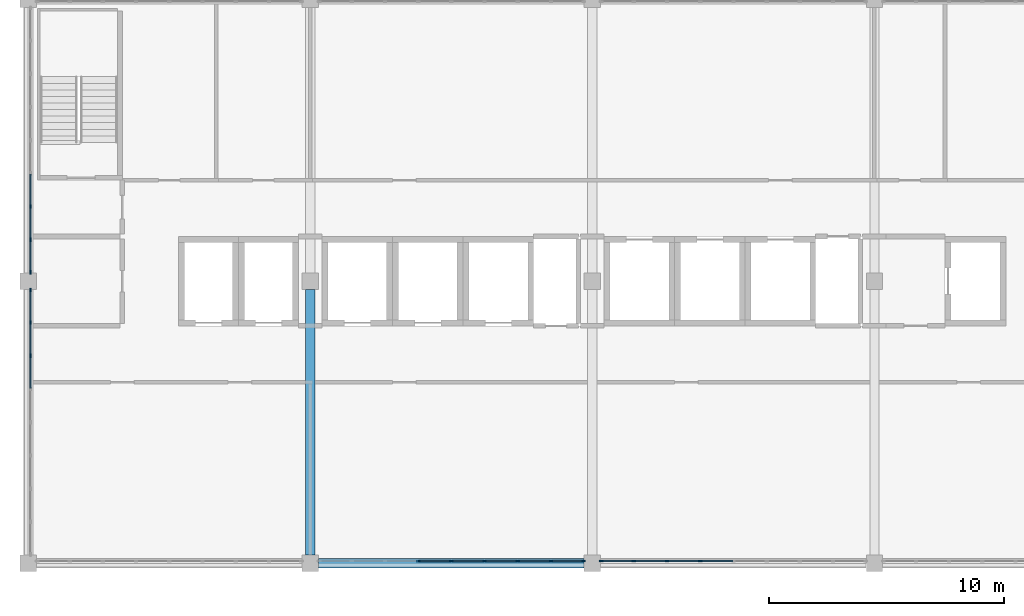
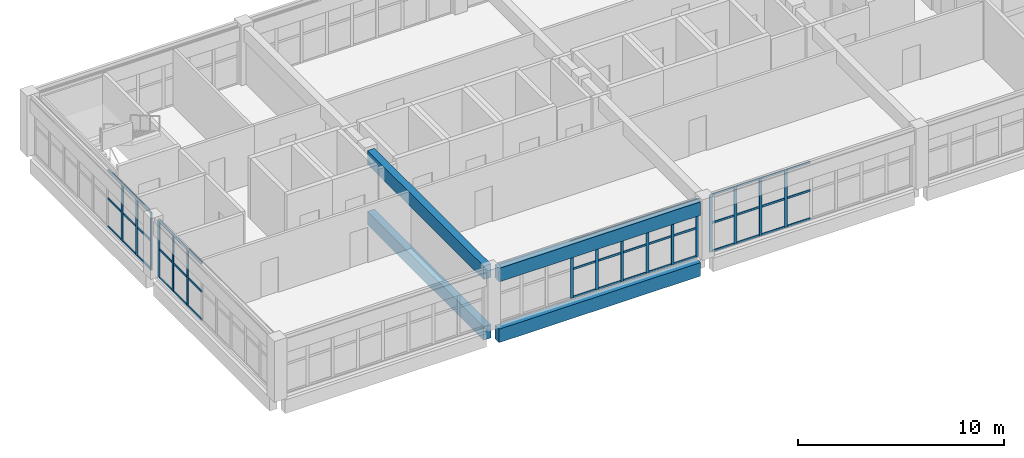
# One storey, part 3 of 16: 61 members, 4 beams, 4 elements without a shape of their own.
"""IFC4 building model written with IfcOpenShell, lengths in metres."""

from ifc_helpers import new_model, si_unit, direction, frame, origin, origin_2d, place, context, subcontext, project, spatial, rectangle, extrude, material, layer, layer_set, material_profile, profile_set, type_object, element, aggregate, save


model = new_model("IFC4")

# Units and contexts
model_context = context("Model", 3, precision=1e-05, world=origin(), true_north=direction((0.0, 1.0)))
body_context = subcontext(model_context, "Body", "Model", "MODEL_VIEW")
ifc_project = project(units=[si_unit("LENGTHUNIT", "METRE"), si_unit("AREAUNIT", "SQUARE_METRE"), si_unit("VOLUMEUNIT", "CUBIC_METRE"), si_unit("PLANEANGLEUNIT", "RADIAN"), si_unit("MASSUNIT", "GRAM", prefix="KILO")], contexts=[model_context])

# Site, building, storey
site_placement = place(None, origin())
site = spatial("IfcSite", under=ifc_project, at=site_placement, CompositionType="ELEMENT")
building_placement = place(site_placement, origin())
building = spatial("IfcBuilding", under=site, at=building_placement, Name="Lilac Gate Convention Centre", CompositionType="ELEMENT")
storey_placement = place(building_placement, frame((0.0, 0.0, 67.800048828125)))
storey = spatial("IfcBuildingStorey", under=building, at=storey_placement, Name="L17", CompositionType="ELEMENT", Elevation=67.800048828125)

# Curtain wall, members
ifc_material_1 = material(Name="Aluminium framed double glazing", Category="aluminium")
ifc_layer = layer(ifc_material_1, 0.199951171875)
ifc_layer_set = layer_set([ifc_layer], Name="Aluminium framed double glazing")
curtain_wall_type = type_object("IfcCurtainWallType", Name="Unitised curtain wall 1500", PredefinedType="NOTDEFINED", material=ifc_layer_set)
curtain_wall_1_placement = place(storey_placement, origin())
curtain_wall_1 = element("IfcCurtainWall", 1, at=curtain_wall_1_placement, inside=storey, type_object=curtain_wall_type, Name="Curtain wall S L17 2", PredefinedType="NOTDEFINED")
ifc_material_2 = material(Name="Aluminium alloy 6063", Category="aluminium")
ifc_material_profile_1 = material_profile(ifc_material_2, rectangle(XDim=0.06005859375, YDim=0.159912109375, at=origin_2d()), Name="Curtain wall mullion 60 x 160")
ifc_profile_set_1 = profile_set([ifc_material_profile_1], Name="Aluminium alloy 6063")
member_type_1 = type_object("IfcMemberType", Name="Curtain wall mullion 60 x 160", PredefinedType="MULLION", material=ifc_profile_set_1)
member_1_placement = place(storey_placement, frame((58.58740234375, 222.10009765625, 0.0), z_axis=(0.0, 0.0, 1.0), x_axis=(0.0, 1.0, 0.0)))
member_1 = element("IfcMember", 2, at=member_1_placement, type_object=member_type_1, Name="CW mullion 4", PredefinedType="MULLION", context=body_context, shape_type="SweptSolid", body=[
    extrude(rectangle(XDim=0.06005859375, YDim=0.159912109375, at=origin_2d()), origin(), (0.0, 0.0, 1.0), 3.39990234375),
])
member_2_placement = place(storey_placement, frame((60.0, 222.10009765625, 0.0), z_axis=(0.0, 0.0, 1.0), x_axis=(0.0, 1.0, 0.0)))
member_2 = element("IfcMember", 3, at=member_2_placement, type_object=member_type_1, Name="CW mullion 5", PredefinedType="MULLION", context=body_context, shape_type="SweptSolid", body=[
    extrude(rectangle(XDim=0.06005859375, YDim=0.159912109375, at=origin_2d()), origin(), (0.0, 0.0, 1.0), 3.39990234375),
])
member_3_placement = place(storey_placement, frame((61.41259765625, 222.10009765625, 0.0), z_axis=(0.0, 0.0, 1.0), x_axis=(0.0, 1.0, 0.0)))
member_3 = element("IfcMember", 4, at=member_3_placement, type_object=member_type_1, Name="CW mullion 6", PredefinedType="MULLION", context=body_context, shape_type="SweptSolid", body=[
    extrude(rectangle(XDim=0.06005859375, YDim=0.159912109375, at=origin_2d()), origin(), (0.0, 0.0, 1.0), 3.39990234375),
])
member_4_placement = place(storey_placement, frame((62.824951171875, 222.10009765625, 0.0), z_axis=(0.0, 0.0, 1.0), x_axis=(0.0, 1.0, 0.0)))
member_4 = element("IfcMember", 5, at=member_4_placement, type_object=member_type_1, Name="CW mullion 7", PredefinedType="MULLION", context=body_context, shape_type="SweptSolid", body=[
    extrude(rectangle(XDim=0.06005859375, YDim=0.159912109375, at=origin_2d()), origin(), (0.0, 0.0, 1.0), 3.39990234375),
])
member_5_placement = place(storey_placement, frame((64.237548828125, 222.10009765625, 0.0), z_axis=(0.0, 0.0, 1.0), x_axis=(0.0, 1.0, 0.0)))
member_5 = element("IfcMember", 6, at=member_5_placement, type_object=member_type_1, Name="CW mullion 8", PredefinedType="MULLION", context=body_context, shape_type="SweptSolid", body=[
    extrude(rectangle(XDim=0.06005859375, YDim=0.159912109375, at=origin_2d()), origin(), (0.0, 0.0, 1.0), 3.39990234375),
])
member_6_placement = place(storey_placement, frame((65.619873046875, 222.10009765625, 0.0), z_axis=(0.0, 0.0, 1.0), x_axis=(0.0, 1.0, 0.0)))
member_6 = element("IfcMember", 7, at=member_6_placement, type_object=member_type_1, Name="CW mullion 9", PredefinedType="MULLION", context=body_context, shape_type="SweptSolid", body=[
    extrude(rectangle(XDim=0.06005859375, YDim=0.159912109375, at=origin_2d()), origin(), (0.0, 0.0, 1.0), 3.39990234375),
])

curtain_wall_2_placement = place(storey_placement, origin())
curtain_wall_2 = element("IfcCurtainWall", 8, at=curtain_wall_2_placement, inside=storey, type_object=curtain_wall_type, Name="Curtain wall S L17 3", PredefinedType="NOTDEFINED")
member_7_placement = place(storey_placement, frame((66.380126953125, 222.10009765625, 0.0), z_axis=(0.0, 0.0, 1.0), x_axis=(0.0, 1.0, 0.0)))
member_7 = element("IfcMember", 9, at=member_7_placement, type_object=member_type_1, Name="CW mullion 1", PredefinedType="MULLION", context=body_context, shape_type="SweptSolid", body=[
    extrude(rectangle(XDim=0.06005859375, YDim=0.159912109375, at=origin_2d()), origin(), (0.0, 0.0, 1.0), 3.39990234375),
])
member_8_placement = place(storey_placement, frame((67.762451171875, 222.10009765625, 0.0), z_axis=(0.0, 0.0, 1.0), x_axis=(0.0, 1.0, 0.0)))
member_8 = element("IfcMember", 10, at=member_8_placement, type_object=member_type_1, Name="CW mullion 2", PredefinedType="MULLION", context=body_context, shape_type="SweptSolid", body=[
    extrude(rectangle(XDim=0.06005859375, YDim=0.159912109375, at=origin_2d()), origin(), (0.0, 0.0, 1.0), 3.39990234375),
])
member_9_placement = place(storey_placement, frame((69.175048828125, 222.10009765625, 0.0), z_axis=(0.0, 0.0, 1.0), x_axis=(0.0, 1.0, 0.0)))
member_9 = element("IfcMember", 11, at=member_9_placement, type_object=member_type_1, Name="CW mullion 3", PredefinedType="MULLION", context=body_context, shape_type="SweptSolid", body=[
    extrude(rectangle(XDim=0.06005859375, YDim=0.159912109375, at=origin_2d()), origin(), (0.0, 0.0, 1.0), 3.39990234375),
])
member_10_placement = place(storey_placement, frame((70.58740234375, 222.10009765625, 0.0), z_axis=(0.0, 0.0, 1.0), x_axis=(0.0, 1.0, 0.0)))
member_10 = element("IfcMember", 12, at=member_10_placement, type_object=member_type_1, Name="CW mullion 4", PredefinedType="MULLION", context=body_context, shape_type="SweptSolid", body=[
    extrude(rectangle(XDim=0.06005859375, YDim=0.159912109375, at=origin_2d()), origin(), (0.0, 0.0, 1.0), 3.39990234375),
])

curtain_wall_3_placement = place(storey_placement, origin())
curtain_wall_3 = element("IfcCurtainWall", 13, at=curtain_wall_3_placement, inside=storey, type_object=curtain_wall_type, Name="Curtain wall W L17 1", PredefinedType="NOTDEFINED")
member_11_placement = place(storey_placement, frame((42.10009765625, 237.175048828125, 0.0), z_axis=(0.0, 0.0, 1.0), x_axis=(1.0, 0.0, 0.0)))
member_11 = element("IfcMember", 14, at=member_11_placement, type_object=member_type_1, Name="CW mullion 7", PredefinedType="MULLION", context=body_context, shape_type="SweptSolid", body=[
    extrude(rectangle(XDim=0.06005859375, YDim=0.159912109375, at=origin_2d()), origin(), (0.0, 0.0, 1.0), 3.39990234375),
])
member_12_placement = place(storey_placement, frame((42.10009765625, 235.762451171875, 0.0), z_axis=(0.0, 0.0, 1.0), x_axis=(1.0, 0.0, 0.0)))
member_12 = element("IfcMember", 15, at=member_12_placement, type_object=member_type_1, Name="CW mullion 8", PredefinedType="MULLION", context=body_context, shape_type="SweptSolid", body=[
    extrude(rectangle(XDim=0.06005859375, YDim=0.159912109375, at=origin_2d()), origin(), (0.0, 0.0, 1.0), 3.39990234375),
])
member_13_placement = place(storey_placement, frame((42.10009765625, 234.380126953125, 0.0), z_axis=(0.0, 0.0, 1.0), x_axis=(1.0, 0.0, 0.0)))
member_13 = element("IfcMember", 16, at=member_13_placement, type_object=member_type_1, Name="CW mullion 9", PredefinedType="MULLION", context=body_context, shape_type="SweptSolid", body=[
    extrude(rectangle(XDim=0.06005859375, YDim=0.159912109375, at=origin_2d()), origin(), (0.0, 0.0, 1.0), 3.39990234375),
])

curtain_wall_4_placement = place(storey_placement, origin())
curtain_wall_4 = element("IfcCurtainWall", 17, at=curtain_wall_4_placement, inside=storey, type_object=curtain_wall_type, Name="Curtain wall W L17 2", PredefinedType="NOTDEFINED")
member_14_placement = place(storey_placement, frame((42.10009765625, 233.619873046875, 0.0), z_axis=(0.0, 0.0, 1.0), x_axis=(1.0, 0.0, 0.0)))
member_14 = element("IfcMember", 18, at=member_14_placement, type_object=member_type_1, Name="CW mullion 1", PredefinedType="MULLION", context=body_context, shape_type="SweptSolid", body=[
    extrude(rectangle(XDim=0.06005859375, YDim=0.159912109375, at=origin_2d()), origin(), (0.0, 0.0, 1.0), 3.39990234375),
])
member_15_placement = place(storey_placement, frame((42.10009765625, 232.237548828125, 0.0), z_axis=(0.0, 0.0, 1.0), x_axis=(1.0, 0.0, 0.0)))
member_15 = element("IfcMember", 19, at=member_15_placement, type_object=member_type_1, Name="CW mullion 2", PredefinedType="MULLION", context=body_context, shape_type="SweptSolid", body=[
    extrude(rectangle(XDim=0.06005859375, YDim=0.159912109375, at=origin_2d()), origin(), (0.0, 0.0, 1.0), 3.39990234375),
])
member_16_placement = place(storey_placement, frame((42.10009765625, 230.824951171875, 0.0), z_axis=(0.0, 0.0, 1.0), x_axis=(1.0, 0.0, 0.0)))
member_16 = element("IfcMember", 20, at=member_16_placement, type_object=member_type_1, Name="CW mullion 3", PredefinedType="MULLION", context=body_context, shape_type="SweptSolid", body=[
    extrude(rectangle(XDim=0.06005859375, YDim=0.159912109375, at=origin_2d()), origin(), (0.0, 0.0, 1.0), 3.39990234375),
])

# Member
ifc_material_profile_2 = material_profile(ifc_material_2, rectangle(XDim=0.06005859375, YDim=0.1201171875, at=origin_2d()), Name="Curtain wall transom 60 x 120")
ifc_profile_set_2 = profile_set([ifc_material_profile_2], Name="Aluminium alloy 6063")
member_type_2 = type_object("IfcMemberType", Name="Curtain wall transom 60 x 120", PredefinedType="USERDEFINED", material=ifc_profile_set_2)
member_17_placement = place(storey_placement, frame((58.617431640625, 222.10009765625, 0.030029296875), z_axis=(1.0, 0.0, 0.0), x_axis=(0.0, 1.0, 0.0)))
member_17 = element("IfcMember", 21, at=member_17_placement, type_object=member_type_2, Name="CW transom 4.1", ObjectType="TRANSOM", PredefinedType="USERDEFINED", context=body_context, shape_type="SweptSolid", body=[
    extrude(rectangle(XDim=0.06005859375, YDim=0.1201171875, at=origin_2d()), origin(), (0.0, 0.0, 1.0), 1.3525390625),
])

member_18_placement = place(storey_placement, frame((58.617431640625, 222.10009765625, 1.699951171875), z_axis=(1.0, 0.0, 0.0), x_axis=(0.0, 1.0, 0.0)))
member_18 = element("IfcMember", 22, at=member_18_placement, type_object=member_type_2, Name="CW transom 4.2", ObjectType="TRANSOM", PredefinedType="USERDEFINED", context=body_context, shape_type="SweptSolid", body=[
    extrude(rectangle(XDim=0.06005859375, YDim=0.1201171875, at=origin_2d()), origin(), (0.0, 0.0, 1.0), 1.3525390625),
])

member_19_placement = place(storey_placement, frame((58.617431640625, 222.10009765625, 3.369873046875), z_axis=(1.0, 0.0, 0.0), x_axis=(0.0, 1.0, 0.0)))
member_19 = element("IfcMember", 23, at=member_19_placement, type_object=member_type_2, Name="CW transom 4.3", ObjectType="TRANSOM", PredefinedType="USERDEFINED", context=body_context, shape_type="SweptSolid", body=[
    extrude(rectangle(XDim=0.06005859375, YDim=0.1201171875, at=origin_2d()), origin(), (0.0, 0.0, 1.0), 1.3525390625),
])

member_20_placement = place(storey_placement, frame((60.030029296875, 222.10009765625, 0.030029296875), z_axis=(1.0, 0.0, 0.0), x_axis=(0.0, 1.0, 0.0)))
member_20 = element("IfcMember", 24, at=member_20_placement, type_object=member_type_2, Name="CW transom 5.1", ObjectType="TRANSOM", PredefinedType="USERDEFINED", context=body_context, shape_type="SweptSolid", body=[
    extrude(rectangle(XDim=0.06005859375, YDim=0.1201171875, at=origin_2d()), origin(), (0.0, 0.0, 1.0), 1.3525390625),
])

member_21_placement = place(storey_placement, frame((60.030029296875, 222.10009765625, 1.699951171875), z_axis=(1.0, 0.0, 0.0), x_axis=(0.0, 1.0, 0.0)))
member_21 = element("IfcMember", 25, at=member_21_placement, type_object=member_type_2, Name="CW transom 5.2", ObjectType="TRANSOM", PredefinedType="USERDEFINED", context=body_context, shape_type="SweptSolid", body=[
    extrude(rectangle(XDim=0.06005859375, YDim=0.1201171875, at=origin_2d()), origin(), (0.0, 0.0, 1.0), 1.3525390625),
])

member_22_placement = place(storey_placement, frame((60.030029296875, 222.10009765625, 3.369873046875), z_axis=(1.0, 0.0, 0.0), x_axis=(0.0, 1.0, 0.0)))
member_22 = element("IfcMember", 26, at=member_22_placement, type_object=member_type_2, Name="CW transom 5.3", ObjectType="TRANSOM", PredefinedType="USERDEFINED", context=body_context, shape_type="SweptSolid", body=[
    extrude(rectangle(XDim=0.06005859375, YDim=0.1201171875, at=origin_2d()), origin(), (0.0, 0.0, 1.0), 1.3525390625),
])

member_23_placement = place(storey_placement, frame((61.4423828125, 222.10009765625, 0.030029296875), z_axis=(1.0, 0.0, 0.0), x_axis=(0.0, 1.0, 0.0)))
member_23 = element("IfcMember", 27, at=member_23_placement, type_object=member_type_2, Name="CW transom 6.1", ObjectType="TRANSOM", PredefinedType="USERDEFINED", context=body_context, shape_type="SweptSolid", body=[
    extrude(rectangle(XDim=0.06005859375, YDim=0.1201171875, at=origin_2d()), origin(), (0.0, 0.0, 1.0), 1.3525390625),
])

member_24_placement = place(storey_placement, frame((61.4423828125, 222.10009765625, 1.699951171875), z_axis=(1.0, 0.0, 0.0), x_axis=(0.0, 1.0, 0.0)))
member_24 = element("IfcMember", 28, at=member_24_placement, type_object=member_type_2, Name="CW transom 6.2", ObjectType="TRANSOM", PredefinedType="USERDEFINED", context=body_context, shape_type="SweptSolid", body=[
    extrude(rectangle(XDim=0.06005859375, YDim=0.1201171875, at=origin_2d()), origin(), (0.0, 0.0, 1.0), 1.3525390625),
])

member_25_placement = place(storey_placement, frame((61.4423828125, 222.10009765625, 3.369873046875), z_axis=(1.0, 0.0, 0.0), x_axis=(0.0, 1.0, 0.0)))
member_25 = element("IfcMember", 29, at=member_25_placement, type_object=member_type_2, Name="CW transom 6.3", ObjectType="TRANSOM", PredefinedType="USERDEFINED", context=body_context, shape_type="SweptSolid", body=[
    extrude(rectangle(XDim=0.06005859375, YDim=0.1201171875, at=origin_2d()), origin(), (0.0, 0.0, 1.0), 1.3525390625),
])

member_26_placement = place(storey_placement, frame((62.85498046875, 222.10009765625, 0.030029296875), z_axis=(1.0, 0.0, 0.0), x_axis=(0.0, 1.0, 0.0)))
member_26 = element("IfcMember", 30, at=member_26_placement, type_object=member_type_2, Name="CW transom 7.1", ObjectType="TRANSOM", PredefinedType="USERDEFINED", context=body_context, shape_type="SweptSolid", body=[
    extrude(rectangle(XDim=0.06005859375, YDim=0.1201171875, at=origin_2d()), origin(), (0.0, 0.0, 1.0), 1.3525390625),
])

member_27_placement = place(storey_placement, frame((62.85498046875, 222.10009765625, 1.699951171875), z_axis=(1.0, 0.0, 0.0), x_axis=(0.0, 1.0, 0.0)))
member_27 = element("IfcMember", 31, at=member_27_placement, type_object=member_type_2, Name="CW transom 7.2", ObjectType="TRANSOM", PredefinedType="USERDEFINED", context=body_context, shape_type="SweptSolid", body=[
    extrude(rectangle(XDim=0.06005859375, YDim=0.1201171875, at=origin_2d()), origin(), (0.0, 0.0, 1.0), 1.3525390625),
])

member_28_placement = place(storey_placement, frame((62.85498046875, 222.10009765625, 3.369873046875), z_axis=(1.0, 0.0, 0.0), x_axis=(0.0, 1.0, 0.0)))
member_28 = element("IfcMember", 32, at=member_28_placement, type_object=member_type_2, Name="CW transom 7.3", ObjectType="TRANSOM", PredefinedType="USERDEFINED", context=body_context, shape_type="SweptSolid", body=[
    extrude(rectangle(XDim=0.06005859375, YDim=0.1201171875, at=origin_2d()), origin(), (0.0, 0.0, 1.0), 1.3525390625),
])

member_29_placement = place(storey_placement, frame((64.267333984375, 222.10009765625, 0.030029296875), z_axis=(1.0, 0.0, 0.0), x_axis=(0.0, 1.0, 0.0)))
member_29 = element("IfcMember", 33, at=member_29_placement, type_object=member_type_2, Name="CW transom 8.1", ObjectType="TRANSOM", PredefinedType="USERDEFINED", context=body_context, shape_type="SweptSolid", body=[
    extrude(rectangle(XDim=0.06005859375, YDim=0.1201171875, at=origin_2d()), origin(), (0.0, 0.0, 1.0), 1.322509765625),
])

member_30_placement = place(storey_placement, frame((64.267333984375, 222.10009765625, 1.699951171875), z_axis=(1.0, 0.0, 0.0), x_axis=(0.0, 1.0, 0.0)))
member_30 = element("IfcMember", 34, at=member_30_placement, type_object=member_type_2, Name="CW transom 8.2", ObjectType="TRANSOM", PredefinedType="USERDEFINED", context=body_context, shape_type="SweptSolid", body=[
    extrude(rectangle(XDim=0.06005859375, YDim=0.1201171875, at=origin_2d()), origin(), (0.0, 0.0, 1.0), 1.322509765625),
])

member_31_placement = place(storey_placement, frame((64.267333984375, 222.10009765625, 3.369873046875), z_axis=(1.0, 0.0, 0.0), x_axis=(0.0, 1.0, 0.0)))
member_31 = element("IfcMember", 35, at=member_31_placement, type_object=member_type_2, Name="CW transom 8.3", ObjectType="TRANSOM", PredefinedType="USERDEFINED", context=body_context, shape_type="SweptSolid", body=[
    extrude(rectangle(XDim=0.06005859375, YDim=0.1201171875, at=origin_2d()), origin(), (0.0, 0.0, 1.0), 1.322509765625),
])

aggregate(curtain_wall_1, [member_1, member_2, member_3, member_4, member_5, member_6, member_17, member_18, member_19, member_20, member_21, member_22, member_23, member_24, member_25, member_26, member_27, member_28, member_29, member_30, member_31])

member_32_placement = place(storey_placement, frame((66.41015625, 222.10009765625, 0.030029296875), z_axis=(1.0, 0.0, 0.0), x_axis=(0.0, 1.0, 0.0)))
member_32 = element("IfcMember", 36, at=member_32_placement, type_object=member_type_2, Name="CW transom 1.1", ObjectType="TRANSOM", PredefinedType="USERDEFINED", context=body_context, shape_type="SweptSolid", body=[
    extrude(rectangle(XDim=0.06005859375, YDim=0.1201171875, at=origin_2d()), origin(), (0.0, 0.0, 1.0), 1.322509765625),
])

member_33_placement = place(storey_placement, frame((66.41015625, 222.10009765625, 1.699951171875), z_axis=(1.0, 0.0, 0.0), x_axis=(0.0, 1.0, 0.0)))
member_33 = element("IfcMember", 37, at=member_33_placement, type_object=member_type_2, Name="CW transom 1.2", ObjectType="TRANSOM", PredefinedType="USERDEFINED", context=body_context, shape_type="SweptSolid", body=[
    extrude(rectangle(XDim=0.06005859375, YDim=0.1201171875, at=origin_2d()), origin(), (0.0, 0.0, 1.0), 1.322509765625),
])

member_34_placement = place(storey_placement, frame((66.41015625, 222.10009765625, 3.369873046875), z_axis=(1.0, 0.0, 0.0), x_axis=(0.0, 1.0, 0.0)))
member_34 = element("IfcMember", 38, at=member_34_placement, type_object=member_type_2, Name="CW transom 1.3", ObjectType="TRANSOM", PredefinedType="USERDEFINED", context=body_context, shape_type="SweptSolid", body=[
    extrude(rectangle(XDim=0.06005859375, YDim=0.1201171875, at=origin_2d()), origin(), (0.0, 0.0, 1.0), 1.322509765625),
])

member_35_placement = place(storey_placement, frame((67.79248046875, 222.10009765625, 0.030029296875), z_axis=(1.0, 0.0, 0.0), x_axis=(0.0, 1.0, 0.0)))
member_35 = element("IfcMember", 39, at=member_35_placement, type_object=member_type_2, Name="CW transom 2.1", ObjectType="TRANSOM", PredefinedType="USERDEFINED", context=body_context, shape_type="SweptSolid", body=[
    extrude(rectangle(XDim=0.06005859375, YDim=0.1201171875, at=origin_2d()), origin(), (0.0, 0.0, 1.0), 1.3525390625),
])

member_36_placement = place(storey_placement, frame((67.79248046875, 222.10009765625, 1.699951171875), z_axis=(1.0, 0.0, 0.0), x_axis=(0.0, 1.0, 0.0)))
member_36 = element("IfcMember", 40, at=member_36_placement, type_object=member_type_2, Name="CW transom 2.2", ObjectType="TRANSOM", PredefinedType="USERDEFINED", context=body_context, shape_type="SweptSolid", body=[
    extrude(rectangle(XDim=0.06005859375, YDim=0.1201171875, at=origin_2d()), origin(), (0.0, 0.0, 1.0), 1.3525390625),
])

member_37_placement = place(storey_placement, frame((67.79248046875, 222.10009765625, 3.369873046875), z_axis=(1.0, 0.0, 0.0), x_axis=(0.0, 1.0, 0.0)))
member_37 = element("IfcMember", 41, at=member_37_placement, type_object=member_type_2, Name="CW transom 2.3", ObjectType="TRANSOM", PredefinedType="USERDEFINED", context=body_context, shape_type="SweptSolid", body=[
    extrude(rectangle(XDim=0.06005859375, YDim=0.1201171875, at=origin_2d()), origin(), (0.0, 0.0, 1.0), 1.3525390625),
])

member_38_placement = place(storey_placement, frame((69.205078125, 222.10009765625, 0.030029296875), z_axis=(1.0, 0.0, 0.0), x_axis=(0.0, 1.0, 0.0)))
member_38 = element("IfcMember", 42, at=member_38_placement, type_object=member_type_2, Name="CW transom 3.1", ObjectType="TRANSOM", PredefinedType="USERDEFINED", context=body_context, shape_type="SweptSolid", body=[
    extrude(rectangle(XDim=0.06005859375, YDim=0.1201171875, at=origin_2d()), origin(), (0.0, 0.0, 1.0), 1.3525390625),
])

member_39_placement = place(storey_placement, frame((69.205078125, 222.10009765625, 1.699951171875), z_axis=(1.0, 0.0, 0.0), x_axis=(0.0, 1.0, 0.0)))
member_39 = element("IfcMember", 43, at=member_39_placement, type_object=member_type_2, Name="CW transom 3.2", ObjectType="TRANSOM", PredefinedType="USERDEFINED", context=body_context, shape_type="SweptSolid", body=[
    extrude(rectangle(XDim=0.06005859375, YDim=0.1201171875, at=origin_2d()), origin(), (0.0, 0.0, 1.0), 1.3525390625),
])

member_40_placement = place(storey_placement, frame((69.205078125, 222.10009765625, 3.369873046875), z_axis=(1.0, 0.0, 0.0), x_axis=(0.0, 1.0, 0.0)))
member_40 = element("IfcMember", 44, at=member_40_placement, type_object=member_type_2, Name="CW transom 3.3", ObjectType="TRANSOM", PredefinedType="USERDEFINED", context=body_context, shape_type="SweptSolid", body=[
    extrude(rectangle(XDim=0.06005859375, YDim=0.1201171875, at=origin_2d()), origin(), (0.0, 0.0, 1.0), 1.3525390625),
])

member_41_placement = place(storey_placement, frame((70.617431640625, 222.10009765625, 0.030029296875), z_axis=(1.0, 0.0, 0.0), x_axis=(0.0, 1.0, 0.0)))
member_41 = element("IfcMember", 45, at=member_41_placement, type_object=member_type_2, Name="CW transom 4.1", ObjectType="TRANSOM", PredefinedType="USERDEFINED", context=body_context, shape_type="SweptSolid", body=[
    extrude(rectangle(XDim=0.06005859375, YDim=0.1201171875, at=origin_2d()), origin(), (0.0, 0.0, 1.0), 1.3525390625),
])

member_42_placement = place(storey_placement, frame((70.617431640625, 222.10009765625, 1.699951171875), z_axis=(1.0, 0.0, 0.0), x_axis=(0.0, 1.0, 0.0)))
member_42 = element("IfcMember", 46, at=member_42_placement, type_object=member_type_2, Name="CW transom 4.2", ObjectType="TRANSOM", PredefinedType="USERDEFINED", context=body_context, shape_type="SweptSolid", body=[
    extrude(rectangle(XDim=0.06005859375, YDim=0.1201171875, at=origin_2d()), origin(), (0.0, 0.0, 1.0), 1.3525390625),
])

member_43_placement = place(storey_placement, frame((70.617431640625, 222.10009765625, 3.369873046875), z_axis=(1.0, 0.0, 0.0), x_axis=(0.0, 1.0, 0.0)))
member_43 = element("IfcMember", 47, at=member_43_placement, type_object=member_type_2, Name="CW transom 4.3", ObjectType="TRANSOM", PredefinedType="USERDEFINED", context=body_context, shape_type="SweptSolid", body=[
    extrude(rectangle(XDim=0.06005859375, YDim=0.1201171875, at=origin_2d()), origin(), (0.0, 0.0, 1.0), 1.3525390625),
])

aggregate(curtain_wall_2, [member_7, member_8, member_9, member_10, member_32, member_33, member_34, member_35, member_36, member_37, member_38, member_39, member_40, member_41, member_42, member_43])

member_44_placement = place(storey_placement, frame((42.10009765625, 238.5576171875, 0.030029296875), z_axis=(0.0, -1.0, 0.0), x_axis=(1.0, 0.0, 0.0)))
member_44 = element("IfcMember", 48, at=member_44_placement, type_object=member_type_2, Name="CW transom 6.1", ObjectType="TRANSOM", PredefinedType="USERDEFINED", context=body_context, shape_type="SweptSolid", body=[
    extrude(rectangle(XDim=0.06005859375, YDim=0.1201171875, at=origin_2d()), origin(), (0.0, 0.0, 1.0), 1.3525390625),
])

member_45_placement = place(storey_placement, frame((42.10009765625, 238.5576171875, 1.699951171875), z_axis=(0.0, -1.0, 0.0), x_axis=(1.0, 0.0, 0.0)))
member_45 = element("IfcMember", 49, at=member_45_placement, type_object=member_type_2, Name="CW transom 6.2", ObjectType="TRANSOM", PredefinedType="USERDEFINED", context=body_context, shape_type="SweptSolid", body=[
    extrude(rectangle(XDim=0.06005859375, YDim=0.1201171875, at=origin_2d()), origin(), (0.0, 0.0, 1.0), 1.3525390625),
])

member_46_placement = place(storey_placement, frame((42.10009765625, 238.5576171875, 3.369873046875), z_axis=(0.0, -1.0, 0.0), x_axis=(1.0, 0.0, 0.0)))
member_46 = element("IfcMember", 50, at=member_46_placement, type_object=member_type_2, Name="CW transom 6.3", ObjectType="TRANSOM", PredefinedType="USERDEFINED", context=body_context, shape_type="SweptSolid", body=[
    extrude(rectangle(XDim=0.06005859375, YDim=0.1201171875, at=origin_2d()), origin(), (0.0, 0.0, 1.0), 1.3525390625),
])

member_47_placement = place(storey_placement, frame((42.10009765625, 237.14501953125, 0.030029296875), z_axis=(0.0, -1.0, 0.0), x_axis=(1.0, 0.0, 0.0)))
member_47 = element("IfcMember", 51, at=member_47_placement, type_object=member_type_2, Name="CW transom 7.1", ObjectType="TRANSOM", PredefinedType="USERDEFINED", context=body_context, shape_type="SweptSolid", body=[
    extrude(rectangle(XDim=0.06005859375, YDim=0.1201171875, at=origin_2d()), origin(), (0.0, 0.0, 1.0), 1.3525390625),
])

member_48_placement = place(storey_placement, frame((42.10009765625, 237.14501953125, 1.699951171875), z_axis=(0.0, -1.0, 0.0), x_axis=(1.0, 0.0, 0.0)))
member_48 = element("IfcMember", 52, at=member_48_placement, type_object=member_type_2, Name="CW transom 7.2", ObjectType="TRANSOM", PredefinedType="USERDEFINED", context=body_context, shape_type="SweptSolid", body=[
    extrude(rectangle(XDim=0.06005859375, YDim=0.1201171875, at=origin_2d()), origin(), (0.0, 0.0, 1.0), 1.3525390625),
])

member_49_placement = place(storey_placement, frame((42.10009765625, 237.14501953125, 3.369873046875), z_axis=(0.0, -1.0, 0.0), x_axis=(1.0, 0.0, 0.0)))
member_49 = element("IfcMember", 53, at=member_49_placement, type_object=member_type_2, Name="CW transom 7.3", ObjectType="TRANSOM", PredefinedType="USERDEFINED", context=body_context, shape_type="SweptSolid", body=[
    extrude(rectangle(XDim=0.06005859375, YDim=0.1201171875, at=origin_2d()), origin(), (0.0, 0.0, 1.0), 1.3525390625),
])

member_50_placement = place(storey_placement, frame((42.10009765625, 235.732666015625, 0.030029296875), z_axis=(0.0, -1.0, 0.0), x_axis=(1.0, 0.0, 0.0)))
member_50 = element("IfcMember", 54, at=member_50_placement, type_object=member_type_2, Name="CW transom 8.1", ObjectType="TRANSOM", PredefinedType="USERDEFINED", context=body_context, shape_type="SweptSolid", body=[
    extrude(rectangle(XDim=0.06005859375, YDim=0.1201171875, at=origin_2d()), origin(), (0.0, 0.0, 1.0), 1.322509765625),
])

member_51_placement = place(storey_placement, frame((42.10009765625, 235.732666015625, 1.699951171875), z_axis=(0.0, -1.0, 0.0), x_axis=(1.0, 0.0, 0.0)))
member_51 = element("IfcMember", 55, at=member_51_placement, type_object=member_type_2, Name="CW transom 8.2", ObjectType="TRANSOM", PredefinedType="USERDEFINED", context=body_context, shape_type="SweptSolid", body=[
    extrude(rectangle(XDim=0.06005859375, YDim=0.1201171875, at=origin_2d()), origin(), (0.0, 0.0, 1.0), 1.322509765625),
])

member_52_placement = place(storey_placement, frame((42.10009765625, 235.732666015625, 3.369873046875), z_axis=(0.0, -1.0, 0.0), x_axis=(1.0, 0.0, 0.0)))
member_52 = element("IfcMember", 56, at=member_52_placement, type_object=member_type_2, Name="CW transom 8.3", ObjectType="TRANSOM", PredefinedType="USERDEFINED", context=body_context, shape_type="SweptSolid", body=[
    extrude(rectangle(XDim=0.06005859375, YDim=0.1201171875, at=origin_2d()), origin(), (0.0, 0.0, 1.0), 1.322509765625),
])

aggregate(curtain_wall_3, [member_11, member_12, member_13, member_44, member_45, member_46, member_47, member_48, member_49, member_50, member_51, member_52])

member_53_placement = place(storey_placement, frame((42.10009765625, 233.58984375, 0.030029296875), z_axis=(0.0, -1.0, 0.0), x_axis=(1.0, 0.0, 0.0)))
member_53 = element("IfcMember", 57, at=member_53_placement, type_object=member_type_2, Name="CW transom 1.1", ObjectType="TRANSOM", PredefinedType="USERDEFINED", context=body_context, shape_type="SweptSolid", body=[
    extrude(rectangle(XDim=0.06005859375, YDim=0.1201171875, at=origin_2d()), origin(), (0.0, 0.0, 1.0), 1.322509765625),
])

member_54_placement = place(storey_placement, frame((42.10009765625, 233.58984375, 1.699951171875), z_axis=(0.0, -1.0, 0.0), x_axis=(1.0, 0.0, 0.0)))
member_54 = element("IfcMember", 58, at=member_54_placement, type_object=member_type_2, Name="CW transom 1.2", ObjectType="TRANSOM", PredefinedType="USERDEFINED", context=body_context, shape_type="SweptSolid", body=[
    extrude(rectangle(XDim=0.06005859375, YDim=0.1201171875, at=origin_2d()), origin(), (0.0, 0.0, 1.0), 1.322509765625),
])

member_55_placement = place(storey_placement, frame((42.10009765625, 233.58984375, 3.369873046875), z_axis=(0.0, -1.0, 0.0), x_axis=(1.0, 0.0, 0.0)))
member_55 = element("IfcMember", 59, at=member_55_placement, type_object=member_type_2, Name="CW transom 1.3", ObjectType="TRANSOM", PredefinedType="USERDEFINED", context=body_context, shape_type="SweptSolid", body=[
    extrude(rectangle(XDim=0.06005859375, YDim=0.1201171875, at=origin_2d()), origin(), (0.0, 0.0, 1.0), 1.322509765625),
])

member_56_placement = place(storey_placement, frame((42.10009765625, 232.20751953125, 0.030029296875), z_axis=(0.0, -1.0, 0.0), x_axis=(1.0, 0.0, 0.0)))
member_56 = element("IfcMember", 60, at=member_56_placement, type_object=member_type_2, Name="CW transom 2.1", ObjectType="TRANSOM", PredefinedType="USERDEFINED", context=body_context, shape_type="SweptSolid", body=[
    extrude(rectangle(XDim=0.06005859375, YDim=0.1201171875, at=origin_2d()), origin(), (0.0, 0.0, 1.0), 1.3525390625),
])

member_57_placement = place(storey_placement, frame((42.10009765625, 232.20751953125, 1.699951171875), z_axis=(0.0, -1.0, 0.0), x_axis=(1.0, 0.0, 0.0)))
member_57 = element("IfcMember", 61, at=member_57_placement, type_object=member_type_2, Name="CW transom 2.2", ObjectType="TRANSOM", PredefinedType="USERDEFINED", context=body_context, shape_type="SweptSolid", body=[
    extrude(rectangle(XDim=0.06005859375, YDim=0.1201171875, at=origin_2d()), origin(), (0.0, 0.0, 1.0), 1.3525390625),
])

member_58_placement = place(storey_placement, frame((42.10009765625, 232.20751953125, 3.369873046875), z_axis=(0.0, -1.0, 0.0), x_axis=(1.0, 0.0, 0.0)))
member_58 = element("IfcMember", 62, at=member_58_placement, type_object=member_type_2, Name="CW transom 2.3", ObjectType="TRANSOM", PredefinedType="USERDEFINED", context=body_context, shape_type="SweptSolid", body=[
    extrude(rectangle(XDim=0.06005859375, YDim=0.1201171875, at=origin_2d()), origin(), (0.0, 0.0, 1.0), 1.3525390625),
])

member_59_placement = place(storey_placement, frame((42.10009765625, 230.794921875, 0.030029296875), z_axis=(0.0, -1.0, 0.0), x_axis=(1.0, 0.0, 0.0)))
member_59 = element("IfcMember", 63, at=member_59_placement, type_object=member_type_2, Name="CW transom 3.1", ObjectType="TRANSOM", PredefinedType="USERDEFINED", context=body_context, shape_type="SweptSolid", body=[
    extrude(rectangle(XDim=0.06005859375, YDim=0.1201171875, at=origin_2d()), origin(), (0.0, 0.0, 1.0), 1.3525390625),
])

member_60_placement = place(storey_placement, frame((42.10009765625, 230.794921875, 1.699951171875), z_axis=(0.0, -1.0, 0.0), x_axis=(1.0, 0.0, 0.0)))
member_60 = element("IfcMember", 64, at=member_60_placement, type_object=member_type_2, Name="CW transom 3.2", ObjectType="TRANSOM", PredefinedType="USERDEFINED", context=body_context, shape_type="SweptSolid", body=[
    extrude(rectangle(XDim=0.06005859375, YDim=0.1201171875, at=origin_2d()), origin(), (0.0, 0.0, 1.0), 1.3525390625),
])

member_61_placement = place(storey_placement, frame((42.10009765625, 230.794921875, 3.369873046875), z_axis=(0.0, -1.0, 0.0), x_axis=(1.0, 0.0, 0.0)))
member_61 = element("IfcMember", 65, at=member_61_placement, type_object=member_type_2, Name="CW transom 3.3", ObjectType="TRANSOM", PredefinedType="USERDEFINED", context=body_context, shape_type="SweptSolid", body=[
    extrude(rectangle(XDim=0.06005859375, YDim=0.1201171875, at=origin_2d()), origin(), (0.0, 0.0, 1.0), 1.3525390625),
])

aggregate(curtain_wall_4, [member_14, member_15, member_16, member_53, member_54, member_55, member_56, member_57, member_58, member_59, member_60, member_61])

# Beams
ifc_material_3 = material(Name="Concrete C40", Category="concrete")
ifc_material_profile_3 = material_profile(ifc_material_3, rectangle(XDim=0.39990234375, YDim=0.800048828125, at=origin_2d()), Name="RC 400x800")
ifc_profile_set_3 = profile_set([ifc_material_profile_3], Name="Concrete C40")
beam_type = type_object("IfcBeamType", Name="Tower primary beam 400x800 C40", PredefinedType="BEAM", material=ifc_profile_set_3)
for number, where, z_axis, x_axis, name in (
    (66, (54.35009765625, 222.0, -0.60009765625), (1.0, 0.0, 0.0), (0.0, 1.0, 0.0), "RB3 L17 5/S-6/S"),
    (67, (54.0, 222.35009765625, -0.60009765625), (0.0, 1.0, 0.0), (-1.0, 0.0, 0.0), "RB3 L17 5/S-5/T"),
    (68, (54.35009765625, 222.0, 3.0), (1.0, 0.0, 0.0), (0.0, 1.0, 0.0), "RB3 L17 5/S-6/S"),
    (69, (54.0, 222.35009765625, 3.0), (0.0, 1.0, 0.0), (-1.0, 0.0, 0.0), "RB3 L17 5/S-5/T"),
):
    element("IfcBeam", number, at=place(storey_placement, frame(where, z_axis=z_axis, x_axis=x_axis)), inside=storey, type_object=beam_type, Name=name, PredefinedType="BEAM", context=body_context, shape_type="SweptSolid", body=[
        extrude(rectangle(XDim=0.39990234375, YDim=0.800048828125, at=origin_2d()), origin(), (0.0, 0.0, 1.0), 11.2998046875),
    ])

save(model, "model.ifc")
